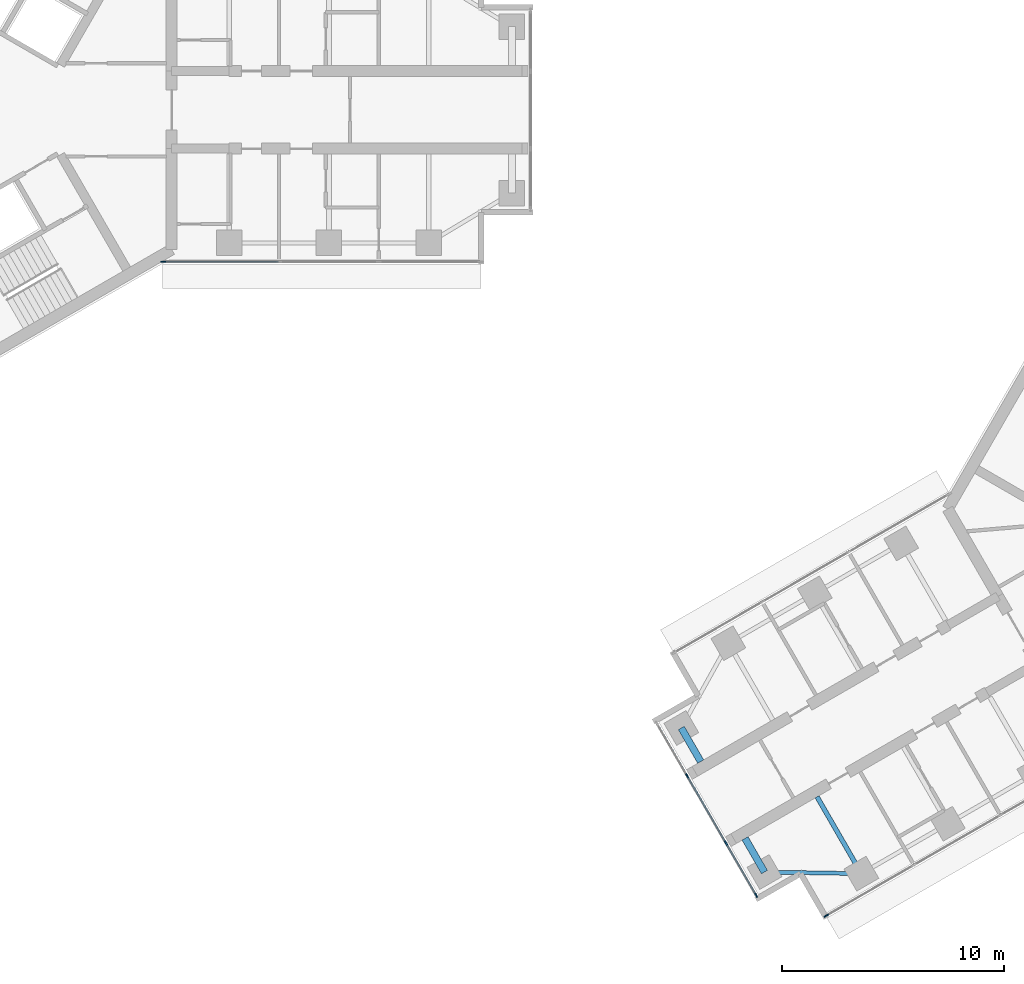
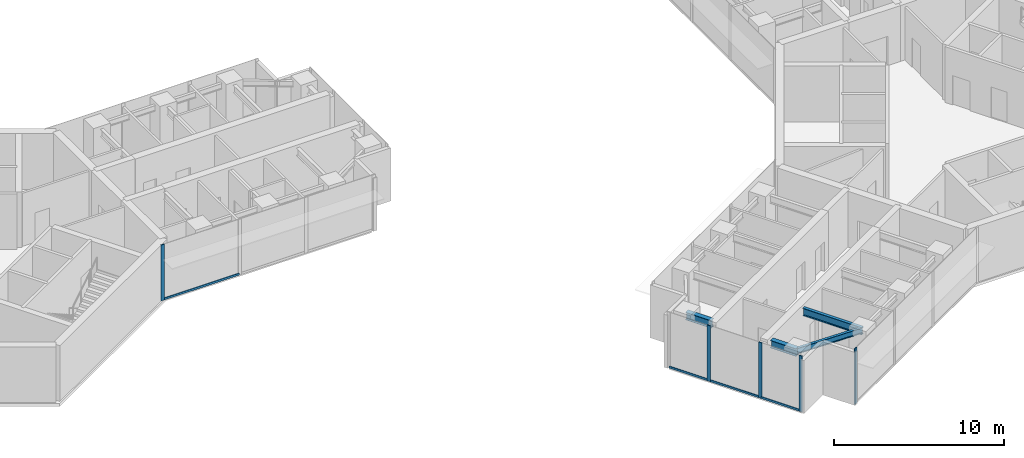
# One storey, part 2 of 17: 9 members, 4 beams, 3 elements without a shape of their own.
"""IFC4 building model written with IfcOpenShell, lengths in metres."""

from ifc_helpers import new_model, si_unit, direction, frame, origin, origin_2d, place, context, subcontext, project, spatial, rectangle, i_section, extrude, material, material_profile, profile_set, type_object, element, aggregate, save


model = new_model("IFC4")

# Units and contexts
model_context = context("Model", 3, precision=1e-05, world=origin(), true_north=direction((0.0, 1.0)))
body_context = subcontext(model_context, "Body", "Model", "MODEL_VIEW")
ifc_project = project(units=[si_unit("LENGTHUNIT", "METRE"), si_unit("AREAUNIT", "SQUARE_METRE"), si_unit("VOLUMEUNIT", "CUBIC_METRE"), si_unit("PLANEANGLEUNIT", "RADIAN"), si_unit("MASSUNIT", "GRAM", prefix="KILO")], contexts=[model_context])

# Site, building, storey
site_placement = place(None, origin())
site = spatial("IfcSite", under=ifc_project, at=site_placement, CompositionType="ELEMENT")
building_placement = place(site_placement, origin())
building = spatial("IfcBuilding", under=site, at=building_placement, Name="Upepo Twin Towers", CompositionType="ELEMENT")
storey_placement = place(building_placement, frame((0.0, 0.0, 210.5)))
storey = spatial("IfcBuildingStorey", under=building, at=storey_placement, Name="L51", CompositionType="ELEMENT", Elevation=210.5)

# Beams
ifc_material_1 = material(Name="Steel S355", Category="steel")
ifc_material_profile_1 = material_profile(ifc_material_1, i_section(OverallWidth=0.177978515625, OverallDepth=0.406494140625, WebThickness=0.0078125, FlangeThickness=0.0126953125, FilletRadius=0.01025390625, at=origin_2d()), Name="UB 406x178x60")
ifc_profile_set_1 = profile_set([ifc_material_profile_1], Name="Steel S355")
beam_type_1 = type_object("IfcBeamType", Name="Beam UB 406x178x60", PredefinedType="BEAM", material=ifc_profile_set_1)
beam_1_placement = place(storey_placement, frame((42.014404296875, -34.446044921875, 3.5966796875), z_axis=(-0.999858804832, 0.016803880528, 0.0), x_axis=(-0.016803880528, -0.999858804832, 0.0)))
element("IfcBeam", 1, at=beam_1_placement, inside=storey, type_object=beam_type_1, Name="T2 nose edge beam BL", PredefinedType="BEAM", context=body_context, shape_type="SweptSolid", body=[
    extrude(i_section(OverallWidth=0.177978515625, OverallDepth=0.406494140625, WebThickness=0.0078125, FlangeThickness=0.0126953125, FilletRadius=0.01025390625, at=origin_2d()), origin(), (0.0, 0.0, 1.0), 4.373291015625),
])
ifc_material_2 = material(Name="Steel S355", Category="steel")
ifc_material_profile_2 = material_profile(ifc_material_2, i_section(OverallWidth=0.209228515625, OverallDepth=0.533203125, WebThickness=0.010009765625, FlangeThickness=0.015625, FilletRadius=0.0126953125, at=origin_2d()), Name="UB 533x210x92")
ifc_profile_set_2 = profile_set([ifc_material_profile_2], Name="Steel S355")
beam_type_2 = type_object("IfcBeamType", Name="Beam UB 533x210x92", PredefinedType="BEAM", material=ifc_profile_set_2)
beam_2_placement = place(storey_placement, frame((42.014404296875, -34.446044921875, 3.533447265625), z_axis=(-0.49999894854, 0.866026010844, 0.0), x_axis=(-0.866026010844, -0.49999894854, 0.0)))
element("IfcBeam", 2, at=beam_2_placement, inside=storey, type_object=beam_type_2, Name="T2 girder BL at 22.5", PredefinedType="BEAM", context=body_context, shape_type="SweptSolid", body=[
    extrude(i_section(OverallWidth=0.209228515625, OverallDepth=0.533203125, WebThickness=0.010009765625, FlangeThickness=0.015625, FilletRadius=0.0126953125, at=origin_2d()), origin(), (0.0, 0.0, 1.0), 4.0),
])
ifc_material_3 = material(Name="Steel S355", Category="steel")
ifc_material_profile_3 = material_profile(ifc_material_3, i_section(OverallWidth=0.31201171875, OverallDepth=0.54345703125, WebThickness=0.0126953125, FlangeThickness=0.020263671875, FilletRadius=0.0126953125, at=origin_2d()), Name="UB 533x312x150")
ifc_profile_set_3 = profile_set([ifc_material_profile_3], Name="Steel S355")
beam_type_3 = type_object("IfcBeamType", Name="Beam UB 533x312x150", PredefinedType="BEAM", material=ifc_profile_set_3)
for number, where, z_axis, x_axis, name in (
    (3, (37.641845703125, -34.37255859375, 3.5283203125), (-0.499980071345, 0.866036909293, 0.0), (-0.866036909293, -0.499980071345, 0.0), "T2 nose beam BL"),
    (4, (33.891845703125, -27.87744140625, 3.5283203125), (0.499980071345, -0.866036909293, 0.0), (0.866036909293, 0.499980071345, 0.0), "T2 nose beam BR"),
):
    element("IfcBeam", number, at=place(storey_placement, frame(where, z_axis=z_axis, x_axis=x_axis)), inside=storey, type_object=beam_type_3, Name=name, PredefinedType="BEAM", context=body_context, shape_type="SweptSolid", body=[
        extrude(i_section(OverallWidth=0.31201171875, OverallDepth=0.54345703125, WebThickness=0.0126953125, FlangeThickness=0.020263671875, FilletRadius=0.0126953125, at=origin_2d()), origin(), (0.0, 0.0, 1.0), 1.75),
    ])

# Curtain wall, member
ifc_material_4 = material(Name="Aluminium and fritted glass", Category="aluminium")
curtain_wall_type = type_object("IfcCurtainWallType", Name="Tower curtain wall TW3, fritted glass", PredefinedType="NOTDEFINED", material=ifc_material_4)
curtain_wall_1_placement = place(storey_placement, origin())
curtain_wall_1 = element("IfcCurtainWall", 5, at=curtain_wall_1_placement, inside=storey, type_object=curtain_wall_type, Name="T1 L51 wing A flank R curtain wall", PredefinedType="NOTDEFINED")
ifc_material_5 = material(Name="Aluminium mullion", Category="aluminium")
ifc_material_profile_4 = material_profile(ifc_material_5, rectangle(XDim=0.06494140625, YDim=0.22509765625, at=origin_2d()), Name="MULLION 65x225")
ifc_profile_set_4 = profile_set([ifc_material_profile_4], Name="Aluminium mullion")
member_type_1 = type_object("IfcMemberType", Name="Mullion 65x225 TW3", PredefinedType="MULLION", material=ifc_profile_set_4)
member_1_placement = place(storey_placement, frame((10.51953125, -6.85009765625, 0.0), z_axis=(0.0, 0.0, 1.0), x_axis=(0.0, -1.0, 0.0)))
member_1 = element("IfcMember", 6, at=member_1_placement, type_object=member_type_1, Name="T1 L51 wing A flank R curtain wall mullion 4", PredefinedType="MULLION", context=body_context, shape_type="SweptSolid", body=[
    extrude(rectangle(XDim=0.06494140625, YDim=0.22509765625, at=origin_2d()), origin(), (0.0, 0.0, 1.0), 4.0),
])

curtain_wall_2_placement = place(storey_placement, origin())
curtain_wall_2 = element("IfcCurtainWall", 7, at=curtain_wall_2_placement, inside=storey, type_object=curtain_wall_type, Name="T2 L51 wing B flank L curtain wall", PredefinedType="NOTDEFINED")
member_2_placement = place(storey_placement, frame((40.432373046875, -36.341064453125, 0.0), z_axis=(0.0, 0.0, 1.0), x_axis=(0.500000026527, -0.866025388469, 0.0)))
member_2 = element("IfcMember", 8, at=member_2_placement, type_object=member_type_1, Name="T2 L51 wing B flank L curtain wall mullion 4", PredefinedType="MULLION", context=body_context, shape_type="SweptSolid", body=[
    extrude(rectangle(XDim=0.06494140625, YDim=0.22509765625, at=origin_2d()), origin(), (0.0, 0.0, 1.0), 4.0),
])
aggregate(curtain_wall_2, [member_2])

# Curtain wall, members
curtain_wall_3_placement = place(storey_placement, origin())
curtain_wall_3 = element("IfcCurtainWall", 9, at=curtain_wall_3_placement, inside=storey, type_object=curtain_wall_type, Name="T2 L51 wing B nose curtain wall", PredefinedType="NOTDEFINED")
member_3_placement = place(storey_placement, frame((34.15576171875, -30.034423828125, 0.0), z_axis=(0.0, 0.0, 1.0), x_axis=(0.866025386174, 0.500000030502, 0.0)))
member_3 = element("IfcMember", 10, at=member_3_placement, type_object=member_type_1, Name="T2 L51 wing B nose curtain wall mullion 2", PredefinedType="MULLION", context=body_context, shape_type="SweptSolid", body=[
    extrude(rectangle(XDim=0.06494140625, YDim=0.22509765625, at=origin_2d()), origin(), (0.0, 0.0, 1.0), 4.0),
])
member_4_placement = place(storey_placement, frame((35.90576171875, -33.0654296875, 0.0), z_axis=(0.0, 0.0, 1.0), x_axis=(0.866025386174, 0.500000030502, 0.0)))
member_4 = element("IfcMember", 11, at=member_4_placement, type_object=member_type_1, Name="T2 L51 wing B nose curtain wall mullion 3", PredefinedType="MULLION", context=body_context, shape_type="SweptSolid", body=[
    extrude(rectangle(XDim=0.06494140625, YDim=0.22509765625, at=origin_2d()), origin(), (0.0, 0.0, 1.0), 4.0),
])
member_5_placement = place(storey_placement, frame((37.264404296875, -35.4189453125, 0.0), z_axis=(0.0, 0.0, 1.0), x_axis=(0.866025386174, 0.500000030502, 0.0)))
member_5 = element("IfcMember", 12, at=member_5_placement, type_object=member_type_1, Name="T2 L51 wing B nose curtain wall mullion 4", PredefinedType="MULLION", context=body_context, shape_type="SweptSolid", body=[
    extrude(rectangle(XDim=0.06494140625, YDim=0.22509765625, at=origin_2d()), origin(), (0.0, 0.0, 1.0), 4.0),
])

# Member
ifc_material_6 = material(Name="Aluminium transom", Category="aluminium")
ifc_material_profile_5 = material_profile(ifc_material_6, rectangle(XDim=0.06494140625, YDim=0.14990234375, at=origin_2d()), Name="TRANSOM 65x150")
ifc_profile_set_5 = profile_set([ifc_material_profile_5], Name="Aluminium transom")
member_type_2 = type_object("IfcMemberType", Name="Transom 65x150 TW3", PredefinedType="USERDEFINED", material=ifc_profile_set_5)
member_6_placement = place(storey_placement, frame((15.717529296875, -6.85009765625, 0.074951171875), z_axis=(-1.0, 0.0, 0.0), x_axis=(0.0, -1.0, 0.0)))
member_6 = element("IfcMember", 13, at=member_6_placement, type_object=member_type_2, Name="T1 L51 wing A flank R curtain wall transom 3", ObjectType="TRANSOM", PredefinedType="USERDEFINED", context=body_context, shape_type="SweptSolid", body=[
    extrude(rectangle(XDim=0.06494140625, YDim=0.14990234375, at=origin_2d()), origin(), (0.0, 0.0, 1.0), 5.16552734375),
])

aggregate(curtain_wall_1, [member_1, member_6])

member_7_placement = place(storey_placement, frame((32.813232421875, -27.709228515625, 0.074951171875), z_axis=(0.499980071345, -0.866036909293, 0.0), x_axis=(0.866036909293, 0.499980071345, 0.0)))
member_7 = element("IfcMember", 14, at=member_7_placement, type_object=member_type_2, Name="T2 L51 wing B nose curtain wall transom 1", ObjectType="TRANSOM", PredefinedType="USERDEFINED", context=body_context, shape_type="SweptSolid", body=[
    extrude(rectangle(XDim=0.06494140625, YDim=0.14990234375, at=origin_2d()), origin(), (0.0, 0.0, 1.0), 2.65234375),
])

member_8_placement = place(storey_placement, frame((34.171875, -30.0625, 0.074951171875), z_axis=(0.499999305434, -0.866025804792, 0.0), x_axis=(0.866025804792, 0.499999305434, 0.0)))
member_8 = element("IfcMember", 15, at=member_8_placement, type_object=member_type_2, Name="T2 L51 wing B nose curtain wall transom 2", ObjectType="TRANSOM", PredefinedType="USERDEFINED", context=body_context, shape_type="SweptSolid", body=[
    extrude(rectangle(XDim=0.06494140625, YDim=0.14990234375, at=origin_2d()), origin(), (0.0, 0.0, 1.0), 3.43505859375),
])

member_9_placement = place(storey_placement, frame((35.921875, -33.09375, 0.074951171875), z_axis=(0.500049101008, -0.865997053448, 0.0), x_axis=(0.865997053448, 0.500049101008, 0.0)))
member_9 = element("IfcMember", 16, at=member_9_placement, type_object=member_type_2, Name="T2 L51 wing B nose curtain wall transom 3", ObjectType="TRANSOM", PredefinedType="USERDEFINED", context=body_context, shape_type="SweptSolid", body=[
    extrude(rectangle(XDim=0.06494140625, YDim=0.14990234375, at=origin_2d()), origin(), (0.0, 0.0, 1.0), 2.652587890625),
])

aggregate(curtain_wall_3, [member_3, member_4, member_5, member_7, member_8, member_9])

save(model, "model.ifc")
